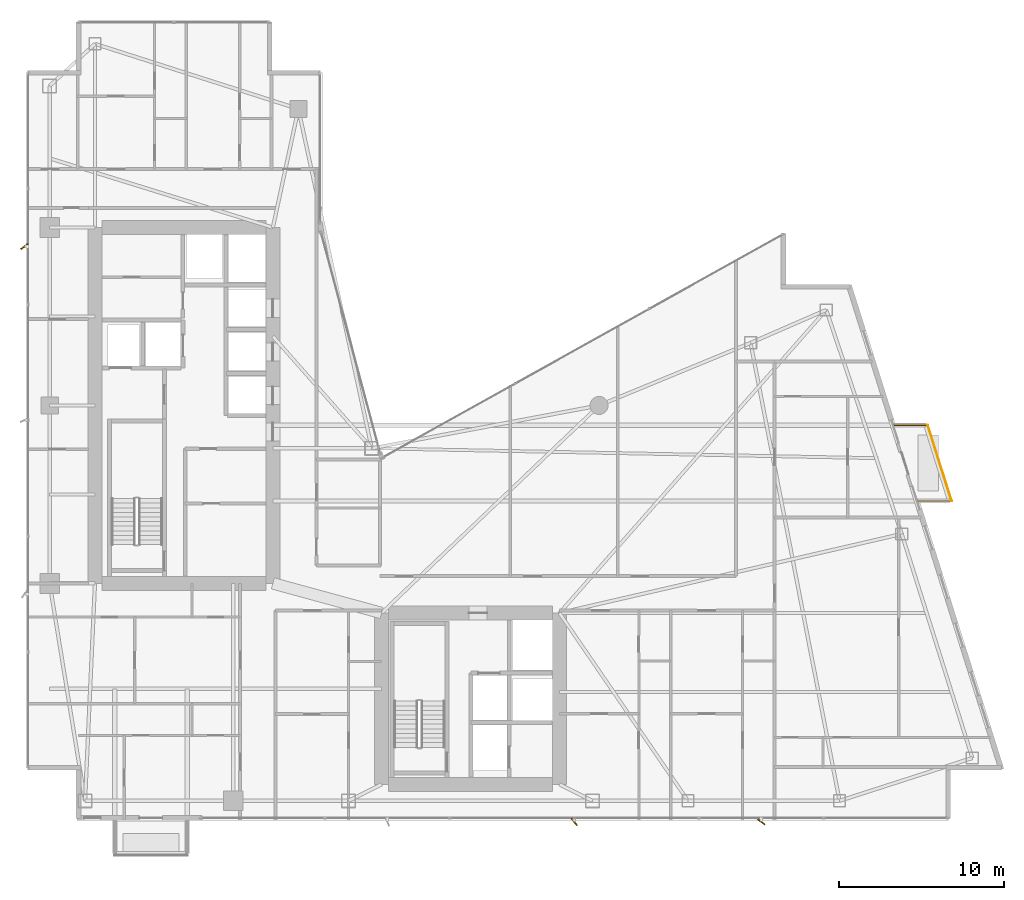
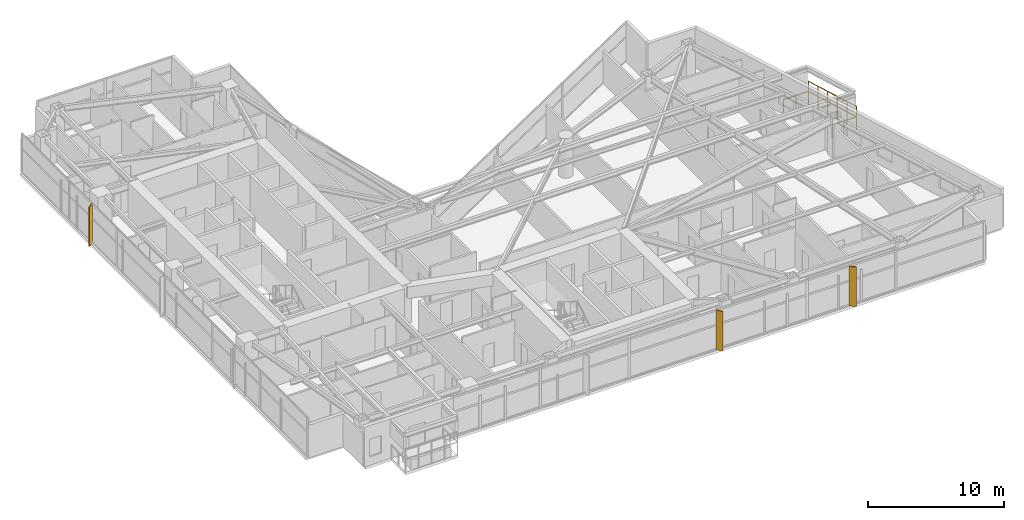
# One storey, part 28 of 28: 3 shading devices, 2 railings.
"""IFC4 building model written with IfcOpenShell, lengths in metres."""

import ifcopenshell
import ifcopenshell.guid

model = None  # the IFC model being written
_history = None  # IfcOwnerHistory: only IFC2X3 demands one
_inside = {}  # id of a spatial element -> (the spatial element, [elements in it])
_under = {}  # id of a project, library or spatial element -> (it, [spatial elements below it])
_declared = {}  # id of a project -> (the project, [libraries it declares])
_typed = {}  # id of a type object -> (the type object, [elements of that type])
_made_of = {}  # id of a material, layer set ... -> (it, [elements and type objects made of it])


def new_model(schema):
    """Start an empty IFC model of exactly this schema.

    Asked for "IFC4X3", IfcOpenShell would pick the latest addendum, in which some entities
    have other attributes; the version numbers below select the first issue.
    IFC2X3 requires an IfcOwnerHistory on every rooted entity: one is made here for all.
    """
    global model, _history
    if schema == "IFC4X3":
        model = ifcopenshell.file(schema_version=(4, 3, 0, 0))
    else:
        model = ifcopenshell.file(schema=schema)
    _inside.clear()
    _under.clear()
    _declared.clear()
    _typed.clear()
    _made_of.clear()
    _history = None
    if model.schema == "IFC2X3":
        org = make("IfcOrganization", Name="unknown")
        user = make(
            "IfcPersonAndOrganization",
            ThePerson=make("IfcPerson", FamilyName="unknown"),
            TheOrganization=org,
        )
        app = make(
            "IfcApplication",
            ApplicationDeveloper=org,
            Version="unknown",
            ApplicationFullName="unknown",
            ApplicationIdentifier="unknown",
        )
        _history = make(
            "IfcOwnerHistory",
            OwningUser=user,
            OwningApplication=app,
            ChangeAction="ADDED",
            CreationDate=0,
        )
    return model


def make(cls, **values):
    """One entity of the class cls with the attributes given. An attribute that is None is left unset."""
    return model.create_entity(
        cls, **{name: value for name, value in values.items() if value is not None}
    )


def rooted(cls, **values):
    """An entity with a GlobalId (a new one), such as an element, a storey or a relation."""
    return make(cls, GlobalId=ifcopenshell.guid.new(), OwnerHistory=_history, **values)


def si_unit(unit_type, name, prefix=None):
    """IfcSIUnit, for example si_unit("LENGTHUNIT", "METRE", prefix="MILLI")."""
    return make("IfcSIUnit", UnitType=unit_type, Prefix=prefix, Name=name)


def assignment(units):
    """IfcUnitAssignment: the units of a project."""
    return None if units is None else make("IfcUnitAssignment", Units=units)


def point(xyz):
    """IfcCartesianPoint."""
    return None if xyz is None else make("IfcCartesianPoint", Coordinates=xyz)


def direction(xyz):
    """IfcDirection."""
    return None if xyz is None else make("IfcDirection", DirectionRatios=xyz)


def frame(location, z_axis=None, x_axis=None):
    """IfcAxis2Placement3D, a coordinate frame: its origin and axes. An axis left out is left unset."""
    return make(
        "IfcAxis2Placement3D",
        Location=point(location),
        Axis=direction(z_axis),
        RefDirection=direction(x_axis),
    )


def frame_2d(location, x_axis=None):
    """IfcAxis2Placement2D, a coordinate frame in the plane: its origin and x axis."""
    return make(
        "IfcAxis2Placement2D", Location=point(location), RefDirection=direction(x_axis)
    )


def origin():
    """The frame at (0, 0, 0) with its axes left unset."""
    return frame((0.0, 0.0, 0.0))


def origin_2d():
    """The frame at (0, 0) in the plane with its x axis left unset."""
    return frame_2d((0.0, 0.0))


def place(relative_to, where):
    """IfcLocalPlacement: puts the frame where relative to a parent placement (None: the world)."""
    return make(
        "IfcLocalPlacement", PlacementRelTo=relative_to, RelativePlacement=where
    )


def context(
    kind, dimensions, precision=None, world=None, true_north=None, identifier=None
):
    """IfcGeometricRepresentationContext, for example the 3D "Model" context."""
    return make(
        "IfcGeometricRepresentationContext",
        ContextIdentifier=identifier,
        ContextType=kind,
        CoordinateSpaceDimension=dimensions,
        Precision=precision,
        WorldCoordinateSystem=world,
        TrueNorth=true_north,
    )


def subcontext(parent, identifier, kind, view, scale=None):
    """IfcGeometricRepresentationSubContext, for example "Body" below "Model"."""
    return make(
        "IfcGeometricRepresentationSubContext",
        ContextIdentifier=identifier,
        ContextType=kind,
        ParentContext=parent,
        TargetScale=scale,
        TargetView=view,
    )


def project(units=None, contexts=None):
    """IfcProject with its units and contexts."""
    return rooted(
        "IfcProject",
        Name="project",
        RepresentationContexts=contexts,
        UnitsInContext=assignment(units),
    )


def spatial(cls, under=None, at=None, **own):
    """A site, building, storey or space (cls), placed at a placement, below another one or the project."""
    s = rooted(cls, ObjectPlacement=at, **own)
    if under is not None:
        _under.setdefault(under.id(), (under, []))[1].append(s)
    return s


def profile(cls, at=None, kind="AREA", **sizes):
    """A parametric profile (cls). Its sizes go by their IFC names, for example OverallWidth=200.0."""
    return make(cls, ProfileType=kind, Position=at, **sizes)


def rectangle(**sizes):
    """IfcRectangleProfileDef."""
    return profile("IfcRectangleProfileDef", **sizes)


def circle(**sizes):
    """IfcCircleProfileDef."""
    return profile("IfcCircleProfileDef", **sizes)


def extrude(swept, where, along, depth):
    """IfcExtrudedAreaSolid: the profile swept, set in the frame where, extruded along a direction by depth."""
    return make(
        "IfcExtrudedAreaSolid",
        SweptArea=swept,
        Position=where,
        ExtrudedDirection=direction(along),
        Depth=depth,
    )


def shape(context_of_items, identifier, shape_type, items):
    """IfcShapeRepresentation: the items that make up one representation, for example the "Body"."""
    return make(
        "IfcShapeRepresentation",
        ContextOfItems=context_of_items,
        RepresentationIdentifier=identifier,
        RepresentationType=shape_type,
        Items=items,
    )


def material(Name=None, Category=None):
    """IfcMaterial."""
    return make("IfcMaterial", Name=Name, Category=Category)


def made_of(thing, what):
    """Note that an element or type object is made of a material, layer set ...; save() writes the relation."""
    if what is not None:
        _made_of.setdefault(what.id(), (what, []))[1].append(thing)
    return thing


def type_object(cls, material=None, **own):
    """A type object (cls), such as IfcWallType, which elements share."""
    return made_of(rooted(cls, **own), material)


def element(
    cls,
    number,
    at=None,
    inside=None,
    cuts=None,
    type_object=None,
    material=None,
    context=None,
    identifier="Body",
    shape_type=None,
    held_by="IfcProductDefinitionShape",
    body=None,
    shapes=None,
    **own,
):
    """One element of the class cls, such as IfcWall. Its Tag is "e" and its number.

    at: its placement. inside: the storey or other place that contains it. cuts: it is an
    opening in that element (IfcRelVoidsElement). A single representation is given by context,
    identifier, shape_type and body (its items); several are given by shapes. held_by: the class
    of the entity that holds the representations. save() writes the other relations.
    """
    e = rooted(cls, Tag="e%d" % number, ObjectPlacement=at, **own)
    if body is not None:
        shapes = [shape(context, identifier, shape_type, body)]
    if shapes is not None:
        e.Representation = make(held_by, Representations=shapes)
    if inside is not None:
        _inside.setdefault(inside.id(), (inside, []))[1].append(e)
    if cuts is not None:
        rooted(
            "IfcRelVoidsElement", RelatingBuildingElement=cuts, RelatedOpeningElement=e
        )
    if type_object is not None:
        _typed.setdefault(type_object.id(), (type_object, []))[1].append(e)
    return made_of(e, material)


def aggregate(whole, parts):
    """IfcRelAggregates: a whole, such as a stair, and the parts it consists of."""
    return rooted("IfcRelAggregates", RelatingObject=whole, RelatedObjects=parts)


def save(model, path):
    """Write the relations noted so far, then the file.

    IfcRelAggregates (storeys below a building ...), IfcRelContainedInSpatialStructure (elements
    in a storey), IfcRelDefinesByType, IfcRelAssociatesMaterial and IfcRelDeclares: one each for
    every whole, place, type object, material and project.
    """
    for whole, parts in _under.values():
        aggregate(whole, parts)
    for where, things in _inside.values():
        rooted(
            "IfcRelContainedInSpatialStructure",
            RelatedElements=things,
            RelatingStructure=where,
        )
    for kind, things in _typed.values():
        rooted("IfcRelDefinesByType", RelatedObjects=things, RelatingType=kind)
    for what, things in _made_of.values():
        rooted("IfcRelAssociatesMaterial", RelatedObjects=things, RelatingMaterial=what)
    for by, libraries in _declared.values():
        rooted("IfcRelDeclares", RelatingContext=by, RelatedDefinitions=libraries)
    model.write(path)


model = new_model("IFC4")

# Units and contexts
model_context = context("Model", 3, precision=1e-05, world=origin(), true_north=direction((0.0, 1.0)))
body_context = subcontext(model_context, "Body", "Model", "MODEL_VIEW")
ifc_project = project(units=[si_unit("LENGTHUNIT", "METRE"), si_unit("AREAUNIT", "SQUARE_METRE"), si_unit("VOLUMEUNIT", "CUBIC_METRE"), si_unit("PLANEANGLEUNIT", "RADIAN"), si_unit("MASSUNIT", "GRAM", prefix="KILO")], contexts=[model_context])

# Site, building, storey
site_placement = place(None, origin())
site = spatial("IfcSite", under=ifc_project, at=site_placement, CompositionType="ELEMENT")
building_placement = place(site_placement, origin())
building = spatial("IfcBuilding", under=site, at=building_placement, Name="Calvorn Quay Hotel", CompositionType="ELEMENT")
storey_placement = place(building_placement, frame((0.0, 0.0, 159.89990234375)))
storey = spatial("IfcBuildingStorey", under=building, at=storey_placement, Name="L39", CompositionType="ELEMENT", Elevation=159.89990234375)

# Railings
ifc_material_1 = material(Name="Pale Anodised Aluminium and Laminated Glass", Category="aluminium")
railing_type = type_object("IfcRailingType", Name="RLG-BALUSTRADE-1200", PredefinedType="BALUSTRADE", material=ifc_material_1)
railing_1_placement = place(storey_placement, frame((54.10595703125, 21.800048828125, 0.0)))
element("IfcRailing", 1, at=railing_1_placement, inside=storey, type_object=railing_type, Name="Tree Balcony Perimeter Balustrade L39-BALC-E", PredefinedType="BALUSTRADE", context=body_context, shape_type="SweptSolid", body=[
    extrude(circle(Radius=0.02392578125, at=origin_2d()), frame((0.0, 0.0, 1.17578125), z_axis=(1.0, 0.0, 0.0), x_axis=(0.0, 1.0, 0.0)), (0.0, 0.0, 1.0), 2.10009765625),
    extrude(circle(Radius=0.02392578125, at=origin_2d()), frame((2.10009765625, 0.0, 1.17578125), z_axis=(-0.300450487966, 0.953797412599, 0.0), x_axis=(-0.953797412599, -0.300450487966, 0.0)), (0.0, 0.0, 1.0), 4.82275390625),
    extrude(circle(Radius=0.02392578125, at=origin_2d()), frame((0.651123046875, 4.599853515625, 1.17578125), z_axis=(-1.0, 0.0, 0.0), x_axis=(0.0, -1.0, 0.0)), (0.0, 0.0, 1.0), 2.10009765625),
    extrude(circle(Radius=0.02099609375, at=origin_2d()), origin(), (0.0, 0.0, 1.0), 1.15185546875),
    extrude(circle(Radius=0.02099609375, at=origin_2d()), frame((1.050048828125, 0.0, 0.0)), (0.0, 0.0, 1.0), 1.15185546875),
    extrude(circle(Radius=0.02099609375, at=origin_2d()), frame((2.10009765625, 0.0, 0.0)), (0.0, 0.0, 1.0), 1.15185546875),
    extrude(circle(Radius=0.02099609375, at=origin_2d()), frame((1.810302734375, 0.919921875, 0.0)), (0.0, 0.0, 1.0), 1.15185546875),
    extrude(circle(Radius=0.02099609375, at=origin_2d()), frame((1.5205078125, 1.83984375, 0.0)), (0.0, 0.0, 1.0), 1.15185546875),
    extrude(circle(Radius=0.02099609375, at=origin_2d()), frame((1.230712890625, 2.760009765625, 0.0)), (0.0, 0.0, 1.0), 1.15185546875),
    extrude(circle(Radius=0.02099609375, at=origin_2d()), frame((0.94091796875, 3.679931640625, 0.0)), (0.0, 0.0, 1.0), 1.15185546875),
    extrude(circle(Radius=0.02099609375, at=origin_2d()), frame((0.651123046875, 4.599853515625, 0.0)), (0.0, 0.0, 1.0), 1.15185546875),
    extrude(circle(Radius=0.02099609375, at=origin_2d()), frame((-0.39892578125, 4.599853515625, 0.0)), (0.0, 0.0, 1.0), 1.15185546875),
    extrude(circle(Radius=0.02099609375, at=origin_2d()), frame((-1.448974609375, 4.599853515625, 0.0)), (0.0, 0.0, 1.0), 1.15185546875),
])
railing_2_placement = place(storey_placement, frame((56.2060546875, 21.800048828125, 0.900146484375)))
element("IfcRailing", 2, at=railing_2_placement, inside=storey, type_object=railing_type, Name="Planter Kerb High Safety Screen L39-BALC-E", PredefinedType="BALUSTRADE", context=body_context, shape_type="SweptSolid", body=[
    extrude(circle(Radius=0.02392578125, at=origin_2d()), frame((0.0, 0.0, 1.19580078125), z_axis=(-0.300450487966, 0.953797412599, 0.0), x_axis=(-0.953797412599, -0.300450487966, 0.0)), (0.0, 0.0, 1.0), 4.82275390625),
    extrude(circle(Radius=0.02099609375, at=origin_2d()), origin(), (0.0, 0.0, 1.0), 1.171875),
    extrude(circle(Radius=0.02099609375, at=origin_2d()), frame((-0.289794921875, 0.919921875, 0.0)), (0.0, 0.0, 1.0), 1.171875),
    extrude(circle(Radius=0.02099609375, at=origin_2d()), frame((-0.57958984375, 1.83984375, 0.0)), (0.0, 0.0, 1.0), 1.171875),
    extrude(circle(Radius=0.02099609375, at=origin_2d()), frame((-0.869384765625, 2.760009765625, 0.0)), (0.0, 0.0, 1.0), 1.171875),
    extrude(circle(Radius=0.02099609375, at=origin_2d()), frame((-1.1591796875, 3.679931640625, 0.0)), (0.0, 0.0, 1.0), 1.171875),
    extrude(circle(Radius=0.02099609375, at=origin_2d()), frame((-1.448974609375, 4.599853515625, 0.0)), (0.0, 0.0, 1.0), 1.171875),
])

# Shading devices
ifc_material_2 = material(Name="Champagne Bronze Anodised Aluminium 6063-T6", Category="aluminium")
shading_device_type_1 = type_object("IfcShadingDeviceType", Name="SHD-FIN-A2", PredefinedType="USERDEFINED", material=ifc_material_2)
for number, where, z_axis, x_axis, name in (
    (3, (-0.080078125, 37.25, 0.0), (0.0, 0.0, 1.0), (0.788010753607, 0.615661475326, 0.0), "Diagonal Sun-Shading Fin L39-W03"),
    (4, (33.300048828125, 2.320068359375, 0.0), (0.0, 0.0, 1.0), (-0.615661475326, 0.788010753607, 0.0), "Diagonal Sun-Shading Fin L39-S02"),
):
    element("IfcShadingDevice", number, at=place(storey_placement, frame(where, z_axis=z_axis, x_axis=x_axis)), inside=storey, type_object=shading_device_type_1, Name=name, ObjectType="FIN", PredefinedType="USERDEFINED", context=body_context, shape_type="SweptSolid", body=[
        extrude(rectangle(XDim=0.550048828125, YDim=0.080078125, at=origin_2d()), origin(), (0.0, 0.0, 1.0), 3.56005859375),
    ])
ifc_material_3 = material(Name="Champagne Bronze Anodised Aluminium 6063-T6", Category="aluminium")
shading_device_type_2 = type_object("IfcShadingDeviceType", Name="SHD-FIN-A3", PredefinedType="USERDEFINED", material=ifc_material_3)
shading_device_placement = place(storey_placement, frame((44.64990234375, 2.320068359375, 0.0), z_axis=(0.0, 0.0, 1.0), x_axis=(-0.809016994375, 0.587785252292, 0.0)))
element("IfcShadingDevice", 5, at=shading_device_placement, inside=storey, type_object=shading_device_type_2, Name="Diagonal Sun-Shading Fin L39-S03", ObjectType="FIN", PredefinedType="USERDEFINED", context=body_context, shape_type="SweptSolid", body=[
    extrude(rectangle(XDim=0.550048828125, YDim=0.080078125, at=origin_2d()), origin(), (0.0, 0.0, 1.0), 3.56005859375),
])

save(model, "model.ifc")
